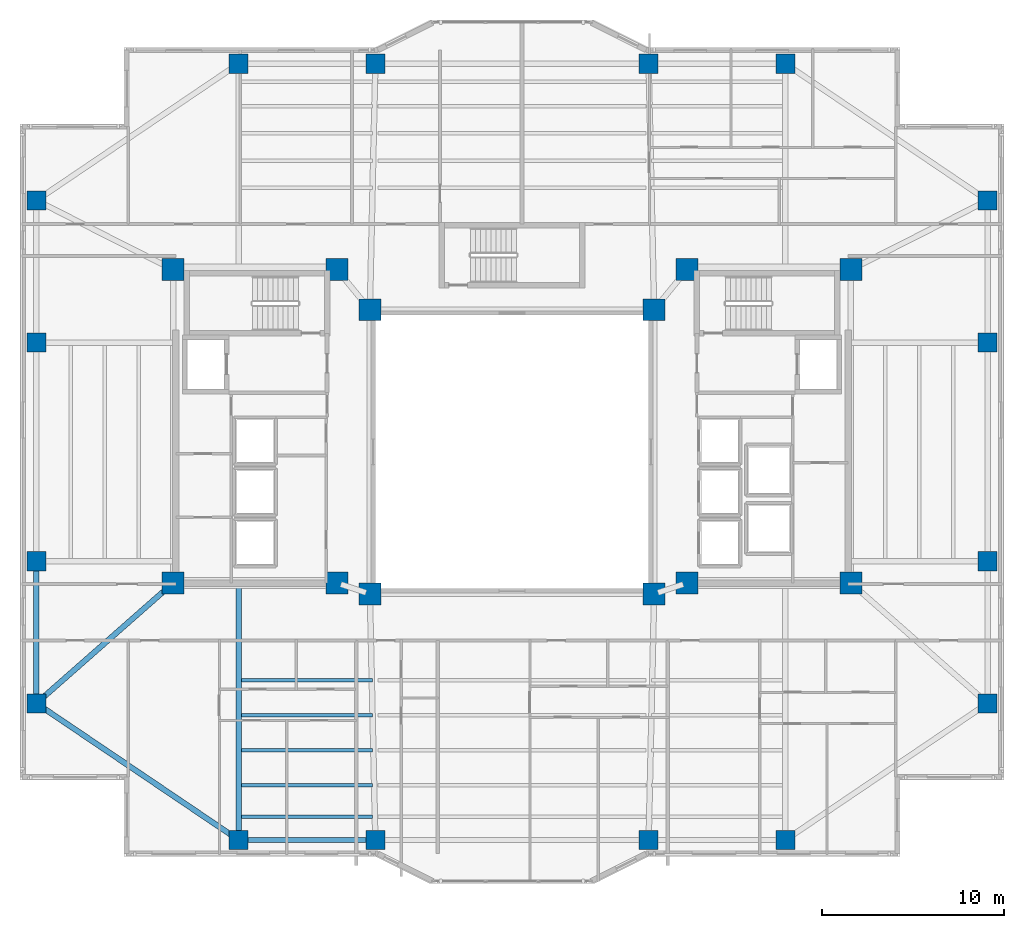
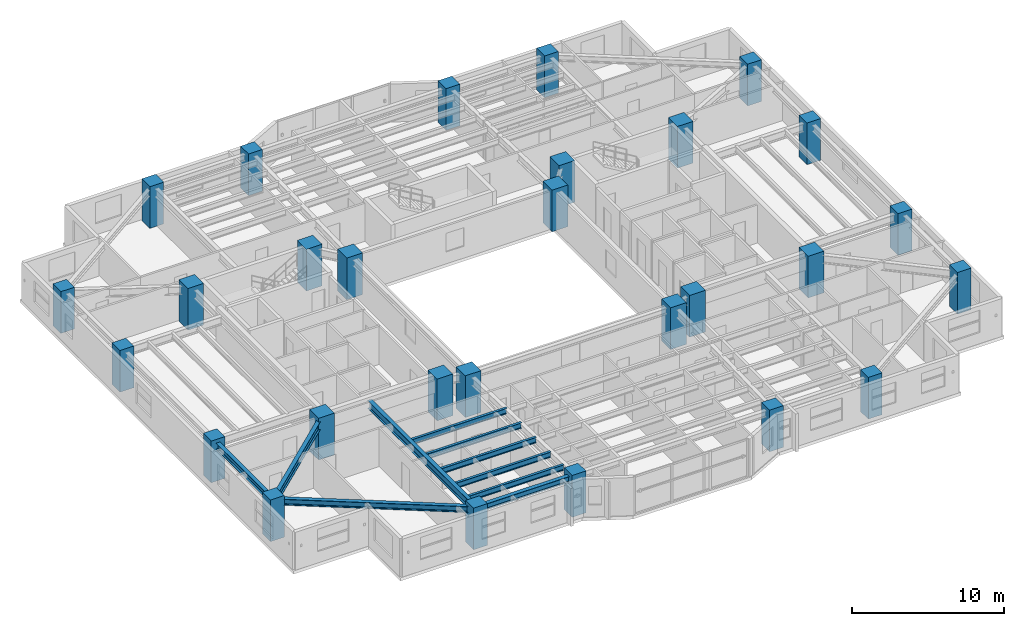
# One storey, part 1 of 18: 28 columns, 10 beams.
"""IFC4 building model written with IfcOpenShell, lengths in metres."""

from ifc_helpers import new_model, si_unit, direction, frame, origin, origin_2d, place, context, subcontext, project, spatial, rectangle, i_section, extrude, material, material_profile, profile_set, type_object, element, save


model = new_model("IFC4")

# Units and contexts
model_context = context("Model", 3, precision=1e-05, world=origin(), true_north=direction((0.0, 1.0)))
body_context = subcontext(model_context, "Body", "Model", "MODEL_VIEW")
ifc_project = project(units=[si_unit("LENGTHUNIT", "METRE"), si_unit("AREAUNIT", "SQUARE_METRE"), si_unit("VOLUMEUNIT", "CUBIC_METRE"), si_unit("PLANEANGLEUNIT", "RADIAN"), si_unit("MASSUNIT", "GRAM", prefix="KILO")], contexts=[model_context])

# Site, building, storey
site_placement = place(None, origin())
site = spatial("IfcSite", under=ifc_project, at=site_placement, CompositionType="ELEMENT")
building_placement = place(site_placement, origin())
building = spatial("IfcBuilding", under=site, at=building_placement, Name="Tarnavaz Court Tower", CompositionType="ELEMENT")
storey_placement = place(building_placement, frame((0.0, 0.0, 115.14990234375)))
storey = spatial("IfcBuildingStorey", under=building, at=storey_placement, Name="L31", CompositionType="ELEMENT", Elevation=115.14990234375)

# Columns
ifc_material_1 = material(Name="Concrete C60/75", Category="concrete")
ifc_material_profile_1 = material_profile(ifc_material_1, rectangle(XDim=1.050048828125, YDim=1.050048828125, at=origin_2d()), Name="RC 1050X1050")
ifc_profile_set_1 = profile_set([ifc_material_profile_1], Name="Concrete C60/75")
column_type_1 = type_object("IfcColumnType", Name="CL-RC1050", PredefinedType="COLUMN", material=ifc_profile_set_1)
for number, where, z_axis, x_axis, name in (
    (1, (-15.0, 21.300048828125, 0.0), (0.0, 0.0, 1.0), (1.0, 0.0, 0.0), "L31 Column PN-1"),
    (2, (-7.5, 21.300048828125, 0.0), (0.0, 0.0, 1.0), (1.0, 0.0, 0.0), "L31 Column PN-2"),
    (3, (7.5, 21.300048828125, 0.0), (0.0, 0.0, 1.0), (1.0, 0.0, 0.0), "L31 Column PN-3"),
    (4, (15.0, 21.300048828125, 0.0), (0.0, 0.0, 1.0), (1.0, 0.0, 0.0), "L31 Column PN-4"),
    (5, (-15.0, -21.300048828125, 0.0), (0.0, 0.0, 1.0), (1.0, 0.0, 0.0), "L31 Column PS-1"),
    (6, (-7.5, -21.300048828125, 0.0), (0.0, 0.0, 1.0), (1.0, 0.0, 0.0), "L31 Column PS-2"),
    (7, (7.5, -21.300048828125, 0.0), (0.0, 0.0, 1.0), (1.0, 0.0, 0.0), "L31 Column PS-3"),
    (8, (15.0, -21.300048828125, 0.0), (0.0, 0.0, 1.0), (1.0, 0.0, 0.0), "L31 Column PS-4"),
    (9, (26.10009765625, -13.800048828125, 0.0), (0.0, 0.0, 1.0), (1.0, 0.0, 0.0), "L31 Column PE-1"),
    (10, (26.10009765625, -6.0, 0.0), (0.0, 0.0, 1.0), (1.0, 0.0, 0.0), "L31 Column PE-2"),
    (11, (26.10009765625, 6.0, 0.0), (0.0, 0.0, 1.0), (1.0, 0.0, 0.0), "L31 Column PE-3"),
    (12, (26.10009765625, 13.800048828125, 0.0), (0.0, 0.0, 1.0), (1.0, 0.0, 0.0), "L31 Column PE-4"),
    (13, (-26.10009765625, -13.800048828125, 0.0), (0.0, 0.0, 1.0), (1.0, 0.0, 0.0), "L31 Column PW-1"),
    (14, (-26.10009765625, -6.0, 0.0), (0.0, 0.0, 1.0), (1.0, 0.0, 0.0), "L31 Column PW-2"),
    (15, (-26.10009765625, 6.0, 0.0), (0.0, 0.0, 1.0), (1.0, 0.0, 0.0), "L31 Column PW-3"),
    (16, (-26.10009765625, 13.800048828125, 0.0), (0.0, 0.0, 1.0), (1.0, 0.0, 0.0), "L31 Column PW-4"),
):
    element("IfcColumn", number, at=place(storey_placement, frame(where, z_axis=z_axis, x_axis=x_axis)), inside=storey, type_object=column_type_1, Name=name, PredefinedType="COLUMN", context=body_context, shape_type="SweptSolid", body=[
        extrude(rectangle(XDim=1.050048828125, YDim=1.050048828125, at=origin_2d()), origin(), (0.0, 0.0, 1.0), 3.35009765625),
    ])
ifc_material_profile_2 = material_profile(ifc_material_1, rectangle(XDim=1.199951171875, YDim=1.199951171875, at=origin_2d()), Name="RC 1200X1200")
ifc_profile_set_2 = profile_set([ifc_material_profile_2], Name="Concrete C60/75")
column_type_2 = type_object("IfcColumnType", Name="CL-RC1200", PredefinedType="COLUMN", material=ifc_profile_set_2)
for number, where, z_axis, x_axis, name in (
    (17, (-7.800048828125, -7.800048828125, 0.0), (0.0, 0.0, 1.0), (1.0, 0.0, 0.0), "L31 Column IW-SW"),
    (18, (7.800048828125, -7.800048828125, 0.0), (0.0, 0.0, 1.0), (1.0, 0.0, 0.0), "L31 Column IW-SE"),
    (19, (-7.800048828125, 7.800048828125, 0.0), (0.0, 0.0, 1.0), (1.0, 0.0, 0.0), "L31 Column IW-NW"),
    (20, (7.800048828125, 7.800048828125, 0.0), (0.0, 0.0, 1.0), (1.0, 0.0, 0.0), "L31 Column IW-NE"),
    (21, (-9.60009765625, -7.199951171875, 0.0), (0.0, 0.0, 1.0), (1.0, 0.0, 0.0), "L31 Column CW-SI"),
    (22, (-9.60009765625, 10.0, 0.0), (0.0, 0.0, 1.0), (1.0, 0.0, 0.0), "L31 Column CW-NI"),
    (23, (9.60009765625, -7.199951171875, 0.0), (0.0, 0.0, 1.0), (1.0, 0.0, 0.0), "L31 Column CE-SI"),
    (24, (9.60009765625, 10.0, 0.0), (0.0, 0.0, 1.0), (1.0, 0.0, 0.0), "L31 Column CE-NI"),
    (25, (-18.60009765625, -7.199951171875, 0.0), (0.0, 0.0, 1.0), (1.0, 0.0, 0.0), "L31 Column CW-SO"),
    (26, (-18.60009765625, 10.0, 0.0), (0.0, 0.0, 1.0), (1.0, 0.0, 0.0), "L31 Column CW-NO"),
    (27, (18.60009765625, -7.199951171875, 0.0), (0.0, 0.0, 1.0), (1.0, 0.0, 0.0), "L31 Column CE-SO"),
    (28, (18.60009765625, 10.0, 0.0), (0.0, 0.0, 1.0), (1.0, 0.0, 0.0), "L31 Column CE-NO"),
):
    element("IfcColumn", number, at=place(storey_placement, frame(where, z_axis=z_axis, x_axis=x_axis)), inside=storey, type_object=column_type_2, Name=name, PredefinedType="COLUMN", context=body_context, shape_type="SweptSolid", body=[
        extrude(rectangle(XDim=1.199951171875, YDim=1.199951171875, at=origin_2d()), origin(), (0.0, 0.0, 1.0), 3.35009765625),
    ])

# Beams
ifc_material_2 = material(Name="Steel S355", Category="steel")
ifc_material_profile_3 = material_profile(ifc_material_2, i_section(OverallWidth=0.300048828125, OverallDepth=0.64990234375, WebThickness=0.01611328125, FlangeThickness=0.031005859375, FilletRadius=0.027099609375, at=origin_2d()), Name="HEB 650")
ifc_profile_set_3 = profile_set([ifc_material_profile_3], Name="Steel S355")
beam_type_1 = type_object("IfcBeamType", Name="BM-G-HEB650", PredefinedType="USERDEFINED", material=ifc_profile_set_3)
beam_1_placement = place(storey_placement, frame((-15.0, -7.239990234375, 2.72509765625), z_axis=(0.0, -1.0, 0.0), x_axis=(1.0, 0.0, 0.0)))
element("IfcBeam", 29, at=beam_1_placement, inside=storey, type_object=beam_type_1, Name="L31 Beam RG-05", ObjectType="GIRDER", PredefinedType="USERDEFINED", context=body_context, shape_type="SweptSolid", body=[
    extrude(i_section(OverallWidth=0.300048828125, OverallDepth=0.64990234375, WebThickness=0.01611328125, FlangeThickness=0.031005859375, FilletRadius=0.027099609375, at=origin_2d()), origin(), (0.0, 0.0, 1.0), 13.840087890625),
])
beam_2_placement = place(storey_placement, frame((-18.76513671875, -7.34521484375, 2.72509765625), z_axis=(-0.750700332035, -0.660642877417, 0.0), x_axis=(0.660642877417, -0.750700332035, 0.0)))
element("IfcBeam", 30, at=beam_2_placement, inside=storey, type_object=beam_type_1, Name="L31 Beam RG-15", ObjectType="GIRDER", PredefinedType="USERDEFINED", context=body_context, shape_type="SweptSolid", body=[
    extrude(i_section(OverallWidth=0.300048828125, OverallDepth=0.64990234375, WebThickness=0.01611328125, FlangeThickness=0.031005859375, FilletRadius=0.027099609375, at=origin_2d()), origin(), (0.0, 0.0, 1.0), 9.550537109375),
])
ifc_material_profile_4 = material_profile(ifc_material_2, i_section(OverallWidth=0.18994140625, OverallDepth=0.449951171875, WebThickness=0.009521484375, FlangeThickness=0.0146484375, FilletRadius=0.02099609375, at=origin_2d()), Name="IPE 450")
ifc_profile_set_4 = profile_set([ifc_material_profile_4], Name="Steel S355")
beam_type_2 = type_object("IfcBeamType", Name="BM-J-IPE450", PredefinedType="JOIST", material=ifc_profile_set_4)
for number, where, z_axis, x_axis, name in (
    (31, (-14.85009765625, -12.52587890625, 2.8251953125), (1.0, 0.0, 0.0), (0.0, 1.0, 0.0), "L31 Beam JS1-1"),
    (32, (-14.85009765625, -14.451904296875, 2.8251953125), (1.0, 0.0, 0.0), (0.0, 1.0, 0.0), "L31 Beam JS2-1"),
    (33, (-14.85009765625, -16.3779296875, 2.8251953125), (1.0, 0.0, 0.0), (0.0, 1.0, 0.0), "L31 Beam JS3-1"),
    (34, (-14.85009765625, -18.303955078125, 2.8251953125), (1.0, 0.0, 0.0), (0.0, 1.0, 0.0), "L31 Beam JS4-1"),
    (35, (-14.85009765625, -20.01611328125, 2.8251953125), (1.0, 0.0, 0.0), (0.0, 1.0, 0.0), "L31 Beam JS5-1"),
):
    element("IfcBeam", number, at=place(storey_placement, frame(where, z_axis=z_axis, x_axis=x_axis)), inside=storey, type_object=beam_type_2, Name=name, PredefinedType="JOIST", context=body_context, shape_type="SweptSolid", body=[
        extrude(i_section(OverallWidth=0.18994140625, OverallDepth=0.449951171875, WebThickness=0.009521484375, FlangeThickness=0.0146484375, FilletRadius=0.02099609375, at=origin_2d()), origin(), (0.0, 0.0, 1.0), 7.2001953125),
    ])
ifc_material_profile_5 = material_profile(ifc_material_2, i_section(OverallWidth=0.300048828125, OverallDepth=0.489990234375, WebThickness=0.011962890625, FlangeThickness=0.02294921875, FilletRadius=0.027099609375, at=origin_2d()), Name="HEA 500")
ifc_profile_set_5 = profile_set([ifc_material_profile_5], Name="Steel S355")
beam_type_3 = type_object("IfcBeamType", Name="BM-SP-HEA500", PredefinedType="SPANDREL", material=ifc_profile_set_5)
beam_3_placement = place(storey_placement, frame((-14.780029296875, -21.300048828125, 2.80517578125), z_axis=(1.0, 0.0, 0.0), x_axis=(0.0, 1.0, 0.0)))
element("IfcBeam", 36, at=beam_3_placement, inside=storey, type_object=beam_type_3, Name="L31 Beam PR-PS-1-PS-2", PredefinedType="SPANDREL", context=body_context, shape_type="SweptSolid", body=[
    extrude(i_section(OverallWidth=0.300048828125, OverallDepth=0.489990234375, WebThickness=0.011962890625, FlangeThickness=0.02294921875, FilletRadius=0.027099609375, at=origin_2d()), origin(), (0.0, 0.0, 1.0), 7.06005859375),
])
beam_4_placement = place(storey_placement, frame((-26.10009765625, -13.580078125, 2.80517578125), z_axis=(0.0, 1.0, 0.0), x_axis=(-1.0, 0.0, 0.0)))
element("IfcBeam", 37, at=beam_4_placement, inside=storey, type_object=beam_type_3, Name="L31 Beam PR-PW-1-PW-2", PredefinedType="SPANDREL", context=body_context, shape_type="SweptSolid", body=[
    extrude(i_section(OverallWidth=0.300048828125, OverallDepth=0.489990234375, WebThickness=0.011962890625, FlangeThickness=0.02294921875, FilletRadius=0.027099609375, at=origin_2d()), origin(), (0.0, 0.0, 1.0), 7.360107421875),
])
beam_5_placement = place(storey_placement, frame((-15.182373046875, -21.1767578125, 2.80517578125), z_axis=(-0.828587314918, 0.559859858854, 0.0), x_axis=(-0.559859858854, -0.828587314918, 0.0)))
element("IfcBeam", 38, at=beam_5_placement, inside=storey, type_object=beam_type_3, Name="L31 Beam PR-PS-1-PW-1", PredefinedType="SPANDREL", context=body_context, shape_type="SweptSolid", body=[
    extrude(i_section(OverallWidth=0.300048828125, OverallDepth=0.489990234375, WebThickness=0.011962890625, FlangeThickness=0.02294921875, FilletRadius=0.027099609375, at=origin_2d()), origin(), (0.0, 0.0, 1.0), 12.956298828125),
])

save(model, "model.ifc")
